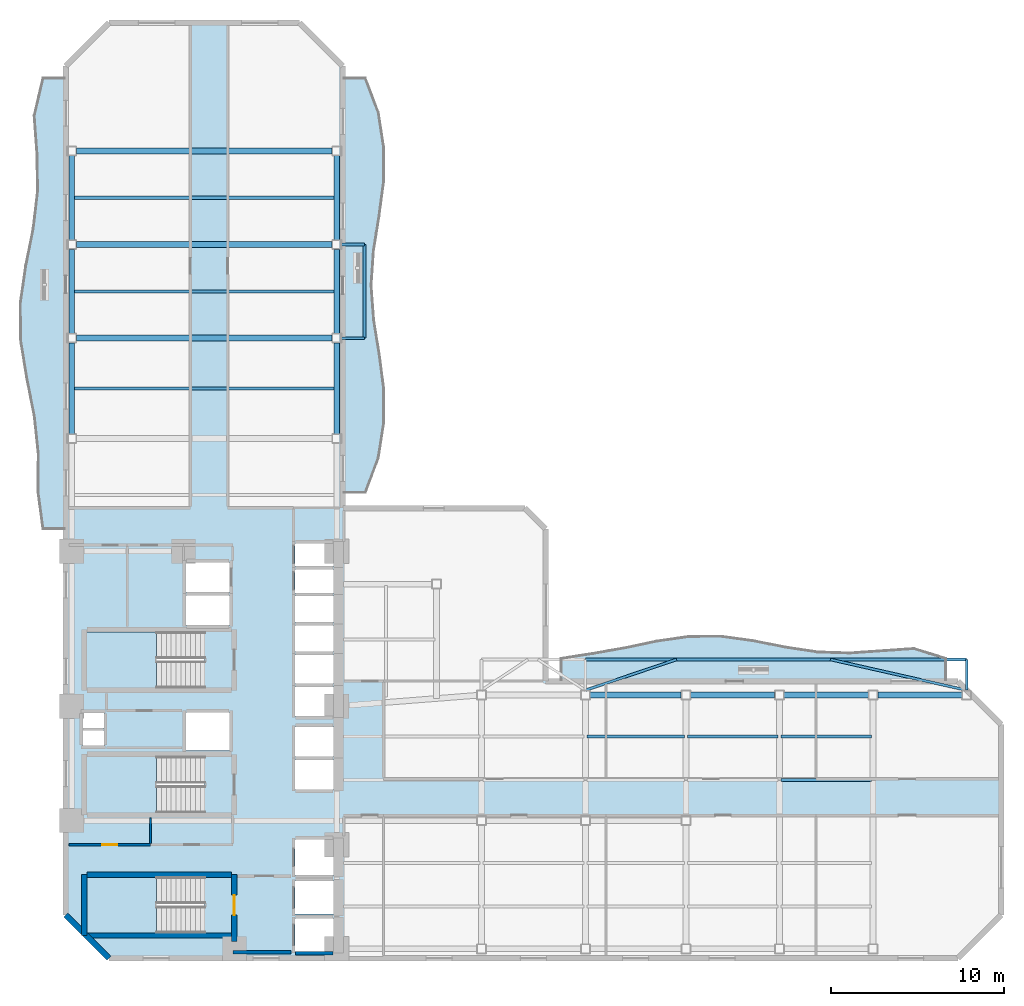
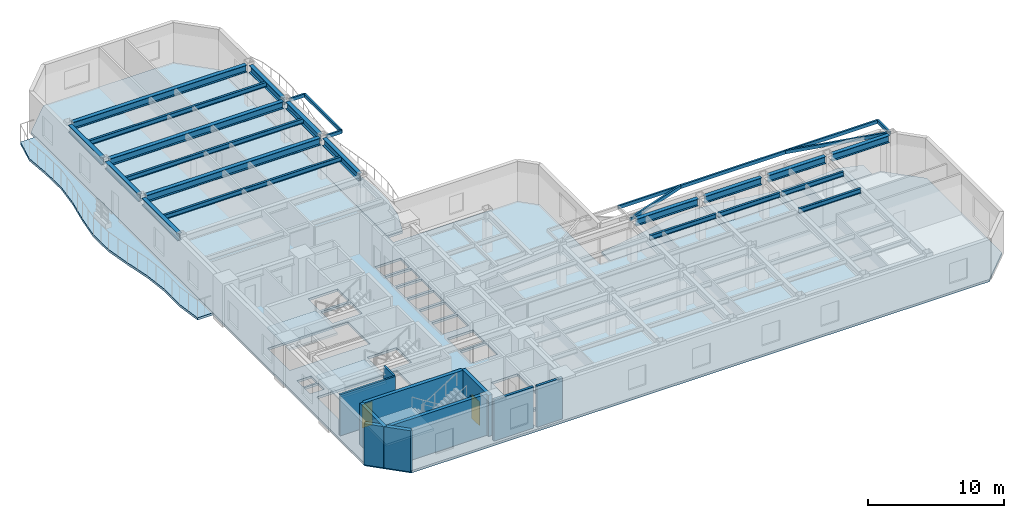
# One storey, part 2 of 10: 27 beams, 9 walls, 7 slabs, 2 doors, 2 openings, 3 elements without a shape of their own.
"""IFC4 building model written with IfcOpenShell, lengths in metres."""

import ifcopenshell
import ifcopenshell.guid

model = None  # the IFC model being written
_history = None  # IfcOwnerHistory: only IFC2X3 demands one
_inside = {}  # id of a spatial element -> (the spatial element, [elements in it])
_under = {}  # id of a project, library or spatial element -> (it, [spatial elements below it])
_declared = {}  # id of a project -> (the project, [libraries it declares])
_typed = {}  # id of a type object -> (the type object, [elements of that type])
_made_of = {}  # id of a material, layer set ... -> (it, [elements and type objects made of it])


def new_model(schema):
    """Start an empty IFC model of exactly this schema.

    Asked for "IFC4X3", IfcOpenShell would pick the latest addendum, in which some entities
    have other attributes; the version numbers below select the first issue.
    IFC2X3 requires an IfcOwnerHistory on every rooted entity: one is made here for all.
    """
    global model, _history
    if schema == "IFC4X3":
        model = ifcopenshell.file(schema_version=(4, 3, 0, 0))
    else:
        model = ifcopenshell.file(schema=schema)
    _inside.clear()
    _under.clear()
    _declared.clear()
    _typed.clear()
    _made_of.clear()
    _history = None
    if model.schema == "IFC2X3":
        org = make("IfcOrganization", Name="unknown")
        user = make(
            "IfcPersonAndOrganization",
            ThePerson=make("IfcPerson", FamilyName="unknown"),
            TheOrganization=org,
        )
        app = make(
            "IfcApplication",
            ApplicationDeveloper=org,
            Version="unknown",
            ApplicationFullName="unknown",
            ApplicationIdentifier="unknown",
        )
        _history = make(
            "IfcOwnerHistory",
            OwningUser=user,
            OwningApplication=app,
            ChangeAction="ADDED",
            CreationDate=0,
        )
    return model


def make(cls, **values):
    """One entity of the class cls with the attributes given. An attribute that is None is left unset."""
    return model.create_entity(
        cls, **{name: value for name, value in values.items() if value is not None}
    )


def rooted(cls, **values):
    """An entity with a GlobalId (a new one), such as an element, a storey or a relation."""
    return make(cls, GlobalId=ifcopenshell.guid.new(), OwnerHistory=_history, **values)


def si_unit(unit_type, name, prefix=None):
    """IfcSIUnit, for example si_unit("LENGTHUNIT", "METRE", prefix="MILLI")."""
    return make("IfcSIUnit", UnitType=unit_type, Prefix=prefix, Name=name)


def assignment(units):
    """IfcUnitAssignment: the units of a project."""
    return None if units is None else make("IfcUnitAssignment", Units=units)


def point(xyz):
    """IfcCartesianPoint."""
    return None if xyz is None else make("IfcCartesianPoint", Coordinates=xyz)


def direction(xyz):
    """IfcDirection."""
    return None if xyz is None else make("IfcDirection", DirectionRatios=xyz)


def frame(location, z_axis=None, x_axis=None):
    """IfcAxis2Placement3D, a coordinate frame: its origin and axes. An axis left out is left unset."""
    return make(
        "IfcAxis2Placement3D",
        Location=point(location),
        Axis=direction(z_axis),
        RefDirection=direction(x_axis),
    )


def frame_2d(location, x_axis=None):
    """IfcAxis2Placement2D, a coordinate frame in the plane: its origin and x axis."""
    return make(
        "IfcAxis2Placement2D", Location=point(location), RefDirection=direction(x_axis)
    )


def origin():
    """The frame at (0, 0, 0) with its axes left unset."""
    return frame((0.0, 0.0, 0.0))


def origin_2d():
    """The frame at (0, 0) in the plane with its x axis left unset."""
    return frame_2d((0.0, 0.0))


def place(relative_to, where):
    """IfcLocalPlacement: puts the frame where relative to a parent placement (None: the world)."""
    return make(
        "IfcLocalPlacement", PlacementRelTo=relative_to, RelativePlacement=where
    )


def context(
    kind, dimensions, precision=None, world=None, true_north=None, identifier=None
):
    """IfcGeometricRepresentationContext, for example the 3D "Model" context."""
    return make(
        "IfcGeometricRepresentationContext",
        ContextIdentifier=identifier,
        ContextType=kind,
        CoordinateSpaceDimension=dimensions,
        Precision=precision,
        WorldCoordinateSystem=world,
        TrueNorth=true_north,
    )


def subcontext(parent, identifier, kind, view, scale=None):
    """IfcGeometricRepresentationSubContext, for example "Body" below "Model"."""
    return make(
        "IfcGeometricRepresentationSubContext",
        ContextIdentifier=identifier,
        ContextType=kind,
        ParentContext=parent,
        TargetScale=scale,
        TargetView=view,
    )


def project(units=None, contexts=None):
    """IfcProject with its units and contexts."""
    return rooted(
        "IfcProject",
        Name="project",
        RepresentationContexts=contexts,
        UnitsInContext=assignment(units),
    )


def spatial(cls, under=None, at=None, **own):
    """A site, building, storey or space (cls), placed at a placement, below another one or the project."""
    s = rooted(cls, ObjectPlacement=at, **own)
    if under is not None:
        _under.setdefault(under.id(), (under, []))[1].append(s)
    return s


def polyline(points):
    """IfcPolyline through the points."""
    return make("IfcPolyline", Points=[point(p) for p in points])


def profile(cls, at=None, kind="AREA", **sizes):
    """A parametric profile (cls). Its sizes go by their IFC names, for example OverallWidth=200.0."""
    return make(cls, ProfileType=kind, Position=at, **sizes)


def rectangle(**sizes):
    """IfcRectangleProfileDef."""
    return profile("IfcRectangleProfileDef", **sizes)


def hollow_rectangle(**sizes):
    """IfcRectangleHollowProfileDef."""
    return profile("IfcRectangleHollowProfileDef", **sizes)


def i_section(**sizes):
    """IfcIShapeProfileDef."""
    return profile("IfcIShapeProfileDef", **sizes)


def outline(outer, holes=None, kind="AREA"):
    """IfcArbitraryClosedProfileDef: a profile drawn as a closed curve; with holes, ...WithVoids."""
    if holes is None:
        return make("IfcArbitraryClosedProfileDef", ProfileType=kind, OuterCurve=outer)
    return make(
        "IfcArbitraryProfileDefWithVoids",
        ProfileType=kind,
        OuterCurve=outer,
        InnerCurves=holes,
    )


def extrude(swept, where, along, depth):
    """IfcExtrudedAreaSolid: the profile swept, set in the frame where, extruded along a direction by depth."""
    return make(
        "IfcExtrudedAreaSolid",
        SweptArea=swept,
        Position=where,
        ExtrudedDirection=direction(along),
        Depth=depth,
    )


def shape(context_of_items, identifier, shape_type, items):
    """IfcShapeRepresentation: the items that make up one representation, for example the "Body"."""
    return make(
        "IfcShapeRepresentation",
        ContextOfItems=context_of_items,
        RepresentationIdentifier=identifier,
        RepresentationType=shape_type,
        Items=items,
    )


def material(Name=None, Category=None):
    """IfcMaterial."""
    return make("IfcMaterial", Name=Name, Category=Category)


def layer(
    of_material, thickness, ventilated=None, Name=None, Category=None, Priority=None
):
    """IfcMaterialLayer: one layer of a wall or slab, of a material (None: an air gap)."""
    return make(
        "IfcMaterialLayer",
        Material=of_material,
        LayerThickness=thickness,
        IsVentilated=ventilated,
        Name=Name,
        Category=Category,
        Priority=Priority,
    )


def layer_set(layers, Name=None):
    """IfcMaterialLayerSet."""
    return make("IfcMaterialLayerSet", MaterialLayers=layers, LayerSetName=Name)


def material_profile(
    of_material, cross_section, Name=None, Category=None, Priority=None
):
    """IfcMaterialProfile: a cross section and its material."""
    return make(
        "IfcMaterialProfile",
        Name=Name,
        Material=of_material,
        Profile=cross_section,
        Priority=Priority,
        Category=Category,
    )


def profile_set(profiles, Name=None, composite=None):
    """IfcMaterialProfileSet."""
    return make(
        "IfcMaterialProfileSet",
        Name=Name,
        MaterialProfiles=profiles,
        CompositeProfile=composite,
    )


def made_of(thing, what):
    """Note that an element or type object is made of a material, layer set ...; save() writes the relation."""
    if what is not None:
        _made_of.setdefault(what.id(), (what, []))[1].append(thing)
    return thing


def type_object(cls, material=None, **own):
    """A type object (cls), such as IfcWallType, which elements share."""
    return made_of(rooted(cls, **own), material)


def element(
    cls,
    number,
    at=None,
    inside=None,
    cuts=None,
    type_object=None,
    material=None,
    context=None,
    identifier="Body",
    shape_type=None,
    held_by="IfcProductDefinitionShape",
    body=None,
    shapes=None,
    **own,
):
    """One element of the class cls, such as IfcWall. Its Tag is "e" and its number.

    at: its placement. inside: the storey or other place that contains it. cuts: it is an
    opening in that element (IfcRelVoidsElement). A single representation is given by context,
    identifier, shape_type and body (its items); several are given by shapes. held_by: the class
    of the entity that holds the representations. save() writes the other relations.
    """
    e = rooted(cls, Tag="e%d" % number, ObjectPlacement=at, **own)
    if body is not None:
        shapes = [shape(context, identifier, shape_type, body)]
    if shapes is not None:
        e.Representation = make(held_by, Representations=shapes)
    if inside is not None:
        _inside.setdefault(inside.id(), (inside, []))[1].append(e)
    if cuts is not None:
        rooted(
            "IfcRelVoidsElement", RelatingBuildingElement=cuts, RelatedOpeningElement=e
        )
    if type_object is not None:
        _typed.setdefault(type_object.id(), (type_object, []))[1].append(e)
    return made_of(e, material)


def fill(opening, filler):
    """IfcRelFillsElement: the door or window that sits in an opening."""
    return rooted(
        "IfcRelFillsElement",
        RelatingOpeningElement=opening,
        RelatedBuildingElement=filler,
    )


def aggregate(whole, parts):
    """IfcRelAggregates: a whole, such as a stair, and the parts it consists of."""
    return rooted("IfcRelAggregates", RelatingObject=whole, RelatedObjects=parts)


def save(model, path):
    """Write the relations noted so far, then the file.

    IfcRelAggregates (storeys below a building ...), IfcRelContainedInSpatialStructure (elements
    in a storey), IfcRelDefinesByType, IfcRelAssociatesMaterial and IfcRelDeclares: one each for
    every whole, place, type object, material and project.
    """
    for whole, parts in _under.values():
        aggregate(whole, parts)
    for where, things in _inside.values():
        rooted(
            "IfcRelContainedInSpatialStructure",
            RelatedElements=things,
            RelatingStructure=where,
        )
    for kind, things in _typed.values():
        rooted("IfcRelDefinesByType", RelatedObjects=things, RelatingType=kind)
    for what, things in _made_of.values():
        rooted("IfcRelAssociatesMaterial", RelatedObjects=things, RelatingMaterial=what)
    for by, libraries in _declared.values():
        rooted("IfcRelDeclares", RelatingContext=by, RelatedDefinitions=libraries)
    model.write(path)


model = new_model("IFC4")

# Units and contexts
model_context = context("Model", 3, precision=1e-05, world=origin(), true_north=direction((0.0, 1.0)))
body_context = subcontext(model_context, "Body", "Model", "MODEL_VIEW")
ifc_project = project(units=[si_unit("LENGTHUNIT", "METRE"), si_unit("AREAUNIT", "SQUARE_METRE"), si_unit("VOLUMEUNIT", "CUBIC_METRE"), si_unit("PLANEANGLEUNIT", "RADIAN"), si_unit("MASSUNIT", "GRAM", prefix="KILO")], contexts=[model_context])

# Site, building, storey
site_placement = place(None, origin())
site = spatial("IfcSite", under=ifc_project, at=site_placement, CompositionType="ELEMENT")
building_placement = place(site_placement, origin())
building = spatial("IfcBuilding", under=site, at=building_placement, Name="Mawjaban Terraces University", CompositionType="ELEMENT")
storey_placement = place(building_placement, frame((0.0, 0.0, 73.89990234375)))
storey = spatial("IfcBuildingStorey", under=building, at=storey_placement, Name="L17", CompositionType="ELEMENT", Elevation=73.89990234375)

# Beams
ifc_material_1 = material(Name="Steel EN 10210-1 S355J2H", Category="steel")
ifc_material_profile_1 = material_profile(ifc_material_1, hollow_rectangle(XDim=0.14990234375, YDim=0.300048828125, WallThickness=0.012451171875, at=origin_2d()), Name="RHS300X150X12.5")
ifc_profile_set_1 = profile_set([ifc_material_profile_1], Name="Steel EN 10210-1 S355J2H")
beam_type_1 = type_object("IfcBeamType", Name="BalconyCantileverSpandrel_RHS", PredefinedType="SPANDREL", material=ifc_profile_set_1)
beam_1_placement = place(storey_placement, frame((74.0, 15.47509765625, 3.5400390625), z_axis=(0.0, 1.0, 0.0), x_axis=(-1.0, 0.0, 0.0)))
element("IfcBeam", 1, at=beam_1_placement, inside=storey, type_object=beam_type_1, Name="L17 Exterior Outrigger BAL-L18-N.2", PredefinedType="SPANDREL", context=body_context, shape_type="SweptSolid", body=[
    extrude(hollow_rectangle(XDim=0.14990234375, YDim=0.300048828125, WallThickness=0.012451171875, at=origin_2d()), origin(), (0.0, 0.0, 1.0), 1.77490234375),
])
beam_2_placement = place(storey_placement, frame((52.0, 17.25, 3.5400390625), z_axis=(1.0, 0.0, 0.0), x_axis=(0.0, 1.0, 0.0)))
element("IfcBeam", 2, at=beam_2_placement, inside=storey, type_object=beam_type_1, Name="L17 Exterior Edge Spandrel BAL-L18-N", PredefinedType="SPANDREL", context=body_context, shape_type="SweptSolid", body=[
    extrude(hollow_rectangle(XDim=0.14990234375, YDim=0.300048828125, WallThickness=0.012451171875, at=origin_2d()), origin(), (0.0, 0.0, 1.0), 22.0),
])
beam_3_placement = place(storey_placement, frame((52.0, 15.47509765625, 3.5400390625), z_axis=(0.947511431793, 0.319721889493, 0.0), x_axis=(-0.319721889493, 0.947511431793, 0.0)))
element("IfcBeam", 3, at=beam_3_placement, inside=storey, type_object=beam_type_1, Name="L17 Exterior Diagonal Strut BAL-L18-N.1", PredefinedType="SPANDREL", context=body_context, shape_type="SweptSolid", body=[
    extrude(hollow_rectangle(XDim=0.14990234375, YDim=0.300048828125, WallThickness=0.012451171875, at=origin_2d()), origin(), (0.0, 0.0, 1.0), 5.551513671875),
])
beam_4_placement = place(storey_placement, frame((74.0, 15.47509765625, 3.5400390625), z_axis=(-0.97543995213, 0.220265521105, 0.0), x_axis=(-0.220265521105, -0.97543995213, 0.0)))
element("IfcBeam", 4, at=beam_4_placement, inside=storey, type_object=beam_type_1, Name="L17 Exterior Diagonal Strut BAL-L18-N.2", PredefinedType="SPANDREL", context=body_context, shape_type="SweptSolid", body=[
    extrude(hollow_rectangle(XDim=0.14990234375, YDim=0.300048828125, WallThickness=0.012451171875, at=origin_2d()), origin(), (0.0, 0.0, 1.0), 8.05810546875),
])
for number, where, z_axis, x_axis, name in (
    (5, (37.925048828125, 35.800048828125, 3.5400390625), (1.0, 0.0, 0.0), (0.0, 1.0, 0.0), "L17 Exterior Outrigger BAL-L18-E.1"),
    (6, (37.925048828125, 41.199951171875, 3.5400390625), (1.0, 0.0, 0.0), (0.0, 1.0, 0.0), "L17 Exterior Outrigger BAL-L18-E.2"),
):
    element("IfcBeam", number, at=place(storey_placement, frame(where, z_axis=z_axis, x_axis=x_axis)), inside=storey, type_object=beam_type_1, Name=name, PredefinedType="SPANDREL", context=body_context, shape_type="SweptSolid", body=[
        extrude(hollow_rectangle(XDim=0.14990234375, YDim=0.300048828125, WallThickness=0.012451171875, at=origin_2d()), origin(), (0.0, 0.0, 1.0), 1.324951171875),
    ])
beam_5_placement = place(storey_placement, frame((39.25, 35.800048828125, 3.5400390625), z_axis=(0.0, 1.0, 0.0), x_axis=(-1.0, 0.0, 0.0)))
element("IfcBeam", 7, at=beam_5_placement, inside=storey, type_object=beam_type_1, Name="L17 Exterior Edge Spandrel BAL-L18-E", PredefinedType="SPANDREL", context=body_context, shape_type="SweptSolid", body=[
    extrude(hollow_rectangle(XDim=0.14990234375, YDim=0.300048828125, WallThickness=0.012451171875, at=origin_2d()), origin(), (0.0, 0.0, 1.0), 5.39990234375),
])
ifc_material_2 = material(Name="Steel ASTM A572 Grade 50", Category="steel")
ifc_material_profile_2 = material_profile(ifc_material_2, i_section(OverallWidth=0.3291015625, OverallDepth=0.635009765625, WebThickness=0.017822265625, FlangeThickness=0.031005859375, at=origin_2d()), Name="W610X241")
ifc_profile_set_2 = profile_set([ifc_material_profile_2], Name="Steel ASTM A572 Grade 50")
beam_type_2 = type_object("IfcBeamType", Name="Beam_B_W610X241", PredefinedType="BEAM", material=ifc_profile_set_2)
beam_6_placement = place(storey_placement, frame((52.27490234375, 15.199951171875, 3.373046875), z_axis=(1.0, 0.0, 0.0), x_axis=(0.0, 1.0, 0.0)))
element("IfcBeam", 8, at=beam_6_placement, inside=storey, type_object=beam_type_2, Name="L17 Beam BM-L17-EW-10", PredefinedType="BEAM", context=body_context, shape_type="SweptSolid", body=[
    extrude(i_section(OverallWidth=0.3291015625, OverallDepth=0.635009765625, WebThickness=0.017822265625, FlangeThickness=0.031005859375, at=origin_2d()), origin(), (0.0, 0.0, 1.0), 5.25),
])
beam_7_placement = place(storey_placement, frame((58.074951171875, 15.199951171875, 3.373046875), z_axis=(1.0, 0.0, 0.0), x_axis=(0.0, 1.0, 0.0)))
element("IfcBeam", 9, at=beam_7_placement, inside=storey, type_object=beam_type_2, Name="L17 Beam BM-L17-EW-11", PredefinedType="BEAM", context=body_context, shape_type="SweptSolid", body=[
    extrude(i_section(OverallWidth=0.3291015625, OverallDepth=0.635009765625, WebThickness=0.017822265625, FlangeThickness=0.031005859375, at=origin_2d()), origin(), (0.0, 0.0, 1.0), 4.85009765625),
])
beam_8_placement = place(storey_placement, frame((63.47509765625, 15.199951171875, 3.373046875), z_axis=(1.0, 0.0, 0.0), x_axis=(0.0, 1.0, 0.0)))
element("IfcBeam", 10, at=beam_8_placement, inside=storey, type_object=beam_type_2, Name="L17 Beam BM-L17-EW-12", PredefinedType="BEAM", context=body_context, shape_type="SweptSolid", body=[
    extrude(i_section(OverallWidth=0.3291015625, OverallDepth=0.635009765625, WebThickness=0.017822265625, FlangeThickness=0.031005859375, at=origin_2d()), origin(), (0.0, 0.0, 1.0), 4.849853515625),
])
beam_9_placement = place(storey_placement, frame((68.875, 15.199951171875, 3.373046875), z_axis=(1.0, 0.0, 0.0), x_axis=(0.0, 1.0, 0.0)))
element("IfcBeam", 11, at=beam_9_placement, inside=storey, type_object=beam_type_2, Name="L17 Beam BM-L17-EW-13", PredefinedType="BEAM", context=body_context, shape_type="SweptSolid", body=[
    extrude(i_section(OverallWidth=0.3291015625, OverallDepth=0.635009765625, WebThickness=0.017822265625, FlangeThickness=0.031005859375, at=origin_2d()), origin(), (0.0, 0.0, 1.0), 4.85009765625),
])
for number, where, z_axis, x_axis, name in (
    (12, (22.625, 35.800048828125, 3.373046875), (1.0, 0.0, 0.0), (0.0, 1.0, 0.0), "L17 Beam BM-L17-EW-16"),
    (13, (22.625, 41.199951171875, 3.373046875), (1.0, 0.0, 0.0), (0.0, 1.0, 0.0), "L17 Beam BM-L17-EW-17"),
    (14, (22.625, 46.60009765625, 3.373046875), (1.0, 0.0, 0.0), (0.0, 1.0, 0.0), "L17 Beam BM-L17-EW-18"),
):
    element("IfcBeam", number, at=place(storey_placement, frame(where, z_axis=z_axis, x_axis=x_axis)), inside=storey, type_object=beam_type_2, Name=name, PredefinedType="BEAM", context=body_context, shape_type="SweptSolid", body=[
        extrude(i_section(OverallWidth=0.3291015625, OverallDepth=0.635009765625, WebThickness=0.017822265625, FlangeThickness=0.031005859375, at=origin_2d()), origin(), (0.0, 0.0, 1.0), 14.75),
    ])
beam_10_placement = place(storey_placement, frame((22.35009765625, 30.27490234375, 3.373046875), z_axis=(0.0, 1.0, 0.0), x_axis=(-1.0, 0.0, 0.0)))
element("IfcBeam", 15, at=beam_10_placement, inside=storey, type_object=beam_type_2, Name="L17 Beam BM-L17-NS-04", PredefinedType="BEAM", context=body_context, shape_type="SweptSolid", body=[
    extrude(i_section(OverallWidth=0.3291015625, OverallDepth=0.635009765625, WebThickness=0.017822265625, FlangeThickness=0.031005859375, at=origin_2d()), origin(), (0.0, 0.0, 1.0), 5.25),
])
beam_11_placement = place(storey_placement, frame((22.35009765625, 36.074951171875, 3.373046875), z_axis=(0.0, 1.0, 0.0), x_axis=(-1.0, 0.0, 0.0)))
element("IfcBeam", 16, at=beam_11_placement, inside=storey, type_object=beam_type_2, Name="L17 Beam BM-L17-NS-05", PredefinedType="BEAM", context=body_context, shape_type="SweptSolid", body=[
    extrude(i_section(OverallWidth=0.3291015625, OverallDepth=0.635009765625, WebThickness=0.017822265625, FlangeThickness=0.031005859375, at=origin_2d()), origin(), (0.0, 0.0, 1.0), 4.85009765625),
])
beam_12_placement = place(storey_placement, frame((22.35009765625, 41.47509765625, 3.373046875), z_axis=(0.0, 1.0, 0.0), x_axis=(-1.0, 0.0, 0.0)))
element("IfcBeam", 17, at=beam_12_placement, inside=storey, type_object=beam_type_2, Name="L17 Beam BM-L17-NS-06", PredefinedType="BEAM", context=body_context, shape_type="SweptSolid", body=[
    extrude(i_section(OverallWidth=0.3291015625, OverallDepth=0.635009765625, WebThickness=0.017822265625, FlangeThickness=0.031005859375, at=origin_2d()), origin(), (0.0, 0.0, 1.0), 4.849853515625),
])
beam_13_placement = place(storey_placement, frame((37.64990234375, 30.27490234375, 3.373046875), z_axis=(0.0, 1.0, 0.0), x_axis=(-1.0, 0.0, 0.0)))
element("IfcBeam", 18, at=beam_13_placement, inside=storey, type_object=beam_type_2, Name="L17 Beam BM-L17-NS-11", PredefinedType="BEAM", context=body_context, shape_type="SweptSolid", body=[
    extrude(i_section(OverallWidth=0.3291015625, OverallDepth=0.635009765625, WebThickness=0.017822265625, FlangeThickness=0.031005859375, at=origin_2d()), origin(), (0.0, 0.0, 1.0), 5.25),
])
beam_14_placement = place(storey_placement, frame((37.64990234375, 36.074951171875, 3.373046875), z_axis=(0.0, 1.0, 0.0), x_axis=(-1.0, 0.0, 0.0)))
element("IfcBeam", 19, at=beam_14_placement, inside=storey, type_object=beam_type_2, Name="L17 Beam BM-L17-NS-12", PredefinedType="BEAM", context=body_context, shape_type="SweptSolid", body=[
    extrude(i_section(OverallWidth=0.3291015625, OverallDepth=0.635009765625, WebThickness=0.017822265625, FlangeThickness=0.031005859375, at=origin_2d()), origin(), (0.0, 0.0, 1.0), 4.85009765625),
])
beam_15_placement = place(storey_placement, frame((37.64990234375, 41.47509765625, 3.373046875), z_axis=(0.0, 1.0, 0.0), x_axis=(-1.0, 0.0, 0.0)))
element("IfcBeam", 20, at=beam_15_placement, inside=storey, type_object=beam_type_2, Name="L17 Beam BM-L17-NS-13", PredefinedType="BEAM", context=body_context, shape_type="SweptSolid", body=[
    extrude(i_section(OverallWidth=0.3291015625, OverallDepth=0.635009765625, WebThickness=0.017822265625, FlangeThickness=0.031005859375, at=origin_2d()), origin(), (0.0, 0.0, 1.0), 4.849853515625),
])
ifc_material_profile_3 = material_profile(ifc_material_2, i_section(OverallWidth=0.179931640625, OverallDepth=0.4130859375, WebThickness=0.009765625, FlangeThickness=0.01611328125, at=origin_2d()), Name="W410X74")
ifc_profile_set_3 = profile_set([ifc_material_profile_3], Name="Steel ASTM A572 Grade 50")
beam_type_3 = type_object("IfcBeamType", Name="Beam_J_W410X74", PredefinedType="JOIST", material=ifc_profile_set_3)
beam_16_placement = place(storey_placement, frame((63.280029296875, 10.300048828125, 3.483154296875), z_axis=(1.0, 0.0, 0.0), x_axis=(0.0, 1.0, 0.0)))
element("IfcBeam", 21, at=beam_16_placement, inside=storey, type_object=beam_type_3, Name="L17 Composite Joist JST-L17-15", PredefinedType="JOIST", context=body_context, shape_type="SweptSolid", body=[
    extrude(i_section(OverallWidth=0.179931640625, OverallDepth=0.4130859375, WebThickness=0.009765625, FlangeThickness=0.01611328125, at=origin_2d()), origin(), (0.0, 0.0, 1.0), 5.239990234375),
])
beam_17_placement = place(storey_placement, frame((52.080078125, 12.800048828125, 3.483154296875), z_axis=(1.0, 0.0, 0.0), x_axis=(0.0, 1.0, 0.0)))
element("IfcBeam", 22, at=beam_17_placement, inside=storey, type_object=beam_type_3, Name="L17 Composite Joist JST-L17-18", PredefinedType="JOIST", context=body_context, shape_type="SweptSolid", body=[
    extrude(i_section(OverallWidth=0.179931640625, OverallDepth=0.4130859375, WebThickness=0.009765625, FlangeThickness=0.01611328125, at=origin_2d()), origin(), (0.0, 0.0, 1.0), 5.639892578125),
])
beam_18_placement = place(storey_placement, frame((57.8798828125, 12.800048828125, 3.483154296875), z_axis=(1.0, 0.0, 0.0), x_axis=(0.0, 1.0, 0.0)))
element("IfcBeam", 23, at=beam_18_placement, inside=storey, type_object=beam_type_3, Name="L17 Composite Joist JST-L17-19", PredefinedType="JOIST", context=body_context, shape_type="SweptSolid", body=[
    extrude(i_section(OverallWidth=0.179931640625, OverallDepth=0.4130859375, WebThickness=0.009765625, FlangeThickness=0.01611328125, at=origin_2d()), origin(), (0.0, 0.0, 1.0), 5.240234375),
])
beam_19_placement = place(storey_placement, frame((63.280029296875, 12.800048828125, 3.483154296875), z_axis=(1.0, 0.0, 0.0), x_axis=(0.0, 1.0, 0.0)))
element("IfcBeam", 24, at=beam_19_placement, inside=storey, type_object=beam_type_3, Name="L17 Composite Joist JST-L17-20", PredefinedType="JOIST", context=body_context, shape_type="SweptSolid", body=[
    extrude(i_section(OverallWidth=0.179931640625, OverallDepth=0.4130859375, WebThickness=0.009765625, FlangeThickness=0.01611328125, at=origin_2d()), origin(), (0.0, 0.0, 1.0), 5.239990234375),
])
for number, where, z_axis, x_axis, name in (
    (25, (22.429931640625, 32.89990234375, 3.483154296875), (1.0, 0.0, 0.0), (0.0, 1.0, 0.0), "L17 Composite Joist JST-L17-23"),
    (26, (22.429931640625, 38.5, 3.483154296875), (1.0, 0.0, 0.0), (0.0, 1.0, 0.0), "L17 Composite Joist JST-L17-24"),
    (27, (22.429931640625, 43.89990234375, 3.483154296875), (1.0, 0.0, 0.0), (0.0, 1.0, 0.0), "L17 Composite Joist JST-L17-25"),
):
    element("IfcBeam", number, at=place(storey_placement, frame(where, z_axis=z_axis, x_axis=x_axis)), inside=storey, type_object=beam_type_3, Name=name, PredefinedType="JOIST", context=body_context, shape_type="SweptSolid", body=[
        extrude(i_section(OverallWidth=0.179931640625, OverallDepth=0.4130859375, WebThickness=0.009765625, FlangeThickness=0.01611328125, at=origin_2d()), origin(), (0.0, 0.0, 1.0), 15.14013671875),
    ])

# Slabs
ifc_material_3 = material(Name="Concrete C40/50", Category="concrete")
ifc_layer_1 = layer(ifc_material_3, 0.2099609375)
ifc_layer_set_1 = layer_set([ifc_layer_1], Name="Concrete C40/50")
slab_type_1 = type_object("IfcSlabType", Name="BalconySlab_210_Ext", PredefinedType="FLOOR", material=ifc_layer_set_1)
slab_1_placement = place(storey_placement, frame((0.0, 0.0, -0.2099609375)))
element("IfcSlab", 28, at=slab_1_placement, inside=storey, type_object=slab_type_1, Name="L17 Planted Balcony Slab west", PredefinedType="FLOOR", context=body_context, shape_type="SweptSolid", body=[
    extrude(outline(polyline([(22.010009765625, 24.800048828125), (22.010009765625, 50.800048828125), (20.699951171875, 50.800048828125), (20.195068359375, 48.633056640625), (20.35302734375, 46.467041015625), (20.39208984375, 44.300048828125), (20.137939453125, 42.133056640625), (19.7060546875, 39.967041015625), (19.388916015625, 37.800048828125), (19.41796875, 35.633056640625), (19.77294921875, 33.467041015625), (20.201904296875, 31.300048828125), (20.431884765625, 29.133056640625), (20.410888671875, 26.967041015625), (20.699951171875, 24.800048828125), (22.010009765625, 24.800048828125)])), origin(), (0.0, 0.0, 1.0), 0.2099609375),
])
slab_2_placement = place(storey_placement, frame((0.0, 0.0, -0.2099609375)))
element("IfcSlab", 29, at=slab_2_placement, inside=storey, type_object=slab_type_1, Name="L17 Planted Balcony Slab inner_north", PredefinedType="FLOOR", context=body_context, shape_type="SweptSolid", body=[
    extrude(outline(polyline([(50.60009765625, 15.989990234375), (72.800048828125, 15.989990234375), (72.800048828125, 17.300048828125), (70.949951171875, 17.868896484375), (69.10009765625, 17.740966796875), (67.25, 17.613037109375), (65.39990234375, 17.673095703125), (63.550048828125, 17.950927734375), (61.699951171875, 18.319091796875), (59.85009765625, 18.574951171875), (58.0, 18.570068359375), (56.14990234375, 18.303955078125), (54.300048828125, 17.9150390625), (52.449951171875, 17.590087890625), (50.60009765625, 17.300048828125), (50.60009765625, 15.989990234375)])), origin(), (0.0, 0.0, 1.0), 0.2099609375),
])
slab_3_placement = place(storey_placement, frame((0.0, 0.0, -0.2099609375)))
element("IfcSlab", 30, at=slab_3_placement, inside=storey, type_object=slab_type_1, Name="L17 Planted Balcony Slab inner_east", PredefinedType="FLOOR", context=body_context, shape_type="SweptSolid", body=[
    extrude(outline(polyline([(39.300048828125, 26.889892578125), (40.048095703125, 28.883056640625), (40.35888671875, 30.875), (40.366943359375, 32.866943359375), (40.10791015625, 34.860107421875), (39.784912109375, 36.85205078125), (39.637939453125, 38.844970703125), (39.77294921875, 40.8369140625), (40.091064453125, 42.830078125), (40.35595703125, 44.822021484375), (40.35888671875, 46.81494140625), (40.055908203125, 48.806884765625), (39.300048828125, 50.800048828125), (37.989990234375, 50.800048828125), (37.989990234375, 26.889892578125), (39.300048828125, 26.889892578125)])), origin(), (0.0, 0.0, 1.0), 0.2099609375),
])
ifc_layer_2 = layer(ifc_material_3, 0.2099609375)
ifc_layer_set_2 = layer_set([ifc_layer_2], Name="Concrete C40/50")
slab_type_2 = type_object("IfcSlabType", Name="CompositeSlab_210", PredefinedType="FLOOR", material=ifc_layer_set_2)
slab_4_placement = place(storey_placement, frame((0.0, 0.0, -0.2099609375)))
element("IfcSlab", 31, at=slab_4_placement, inside=storey, type_object=slab_type_2, Name="L17 Primary Structural Slab", PredefinedType="FLOOR", context=body_context, shape_type="SweptSolid", body=[
    extrude(outline(polyline([(24.5, 0.0), (73.5, 0.0), (76.0, 2.5), (76.0, 13.5), (73.5, 16.0), (49.699951171875, 16.0), (49.699951171875, 24.7900390625), (48.5, 25.989990234375), (38.0, 25.989990234375), (38.0, 51.5), (35.5, 54.0), (24.5, 54.0), (22.0, 51.5), (22.0, 2.5), (24.5, 0.0)]), holes=[polyline([(30.014892578125, 4.699951171875), (23.199951171875, 4.699951171875), (23.199951171875, 1.449951171875), (30.014892578125, 1.449951171875), (30.014892578125, 4.699951171875)]), polyline([(30.014892578125, 18.85009765625), (23.199951171875, 18.85009765625), (23.199951171875, 15.60009765625), (30.014892578125, 15.60009765625), (30.014892578125, 18.85009765625)]), polyline([(30.014892578125, 11.64990234375), (23.199951171875, 11.64990234375), (23.199951171875, 8.39990234375), (30.014892578125, 8.39990234375), (30.014892578125, 11.64990234375)]), polyline([(35.25, 0.39990234375), (37.449951171875, 0.39990234375), (37.449951171875, 2.300048828125), (35.25, 2.300048828125), (35.25, 0.39990234375)]), polyline([(35.25, 2.550048828125), (37.449951171875, 2.550048828125), (37.449951171875, 4.449951171875), (35.25, 4.449951171875), (35.25, 2.550048828125)]), polyline([(35.25, 4.800048828125), (37.449951171875, 4.800048828125), (37.449951171875, 6.85009765625), (35.25, 6.85009765625), (35.25, 4.800048828125)]), polyline([(35.25, 9.75), (37.449951171875, 9.75), (37.449951171875, 11.449951171875), (35.25, 11.449951171875), (35.25, 9.75)]), polyline([(35.25, 11.64990234375), (37.449951171875, 11.64990234375), (37.449951171875, 13.35009765625), (35.25, 13.35009765625), (35.25, 11.64990234375)]), polyline([(28.949951171875, 12.0), (31.449951171875, 12.0), (31.449951171875, 14.199951171875), (28.949951171875, 14.199951171875), (28.949951171875, 12.0)]), polyline([(35.25, 14.0), (37.449951171875, 14.0), (37.449951171875, 15.64990234375), (35.25, 15.64990234375), (35.25, 14.0)]), polyline([(35.25, 15.85009765625), (37.449951171875, 15.85009765625), (37.449951171875, 17.5), (35.25, 17.5), (35.25, 15.85009765625)]), polyline([(35.25, 17.699951171875), (37.449951171875, 17.699951171875), (37.449951171875, 19.199951171875), (35.25, 19.199951171875), (35.25, 17.699951171875)]), polyline([(35.25, 19.39990234375), (37.449951171875, 19.39990234375), (37.449951171875, 20.89990234375), (35.25, 20.89990234375), (35.25, 19.39990234375)]), polyline([(28.949951171875, 19.25), (31.449951171875, 19.25), (31.449951171875, 20.949951171875), (28.949951171875, 20.949951171875), (28.949951171875, 19.25)]), polyline([(35.25, 21.10009765625), (37.449951171875, 21.10009765625), (37.449951171875, 22.449951171875), (35.25, 22.449951171875), (35.25, 21.10009765625)]), polyline([(35.25, 22.64990234375), (37.449951171875, 22.64990234375), (37.449951171875, 23.949951171875), (35.25, 23.949951171875), (35.25, 22.64990234375)]), polyline([(28.949951171875, 21.14990234375), (31.449951171875, 21.14990234375), (31.449951171875, 22.85009765625), (28.949951171875, 22.85009765625), (28.949951171875, 21.14990234375)]), polyline([(23.0, 12.25), (24.199951171875, 12.25), (24.199951171875, 13.14990234375), (23.0, 13.14990234375), (23.0, 12.25)]), polyline([(23.0, 13.300048828125), (24.199951171875, 13.300048828125), (24.199951171875, 14.179931640625), (23.0, 14.179931640625), (23.0, 13.300048828125)])]), origin(), (0.0, 0.0, 1.0), 0.2099609375),
])

# Stair, slab
stair_type = type_object("IfcStairType", Name="Stair_Core1550_H39", PredefinedType="HALF_TURN_STAIR", material=ifc_material_3)
stair_1_placement = place(storey_placement, origin())
stair_1 = element("IfcStair", 32, at=stair_1_placement, inside=storey, type_object=stair_type, Name="L17 Core Exit Stair 1", PredefinedType="HALF_TURN_STAIR")
ifc_layer_3 = layer(ifc_material_3, 0.199951171875)
ifc_layer_set_3 = layer_set([ifc_layer_3], Name="Concrete C40/50")
slab_type_3 = type_object("IfcSlabType", Name="StairLandingSlab_200", PredefinedType="LANDING", material=ifc_layer_set_3)
slab_5_placement = place(storey_placement, frame((0.0, 0.0, 1.75)))
slab_5 = element("IfcSlab", 33, at=slab_5_placement, type_object=slab_type_3, Name="ST-1 landing 1", PredefinedType="LANDING", context=body_context, shape_type="SweptSolid", body=[
    extrude(outline(polyline([(27.25, 4.699951171875), (23.199951171875, 4.699951171875), (23.199951171875, 1.449951171875), (27.25, 1.449951171875), (27.25, 4.699951171875)])), origin(), (0.0, 0.0, 1.0), 0.2001953125),
])
aggregate(stair_1, [slab_5])

stair_2_placement = place(storey_placement, origin())
stair_2 = element("IfcStair", 34, at=stair_2_placement, inside=storey, type_object=stair_type, Name="L17 Core Exit Stair 2", PredefinedType="HALF_TURN_STAIR")
slab_6_placement = place(storey_placement, frame((0.0, 0.0, 1.75)))
slab_6 = element("IfcSlab", 35, at=slab_6_placement, type_object=slab_type_3, Name="ST-2 landing 1", PredefinedType="LANDING", context=body_context, shape_type="SweptSolid", body=[
    extrude(outline(polyline([(27.25, 18.85009765625), (23.199951171875, 18.85009765625), (23.199951171875, 15.60009765625), (27.25, 15.60009765625), (27.25, 18.85009765625)])), origin(), (0.0, 0.0, 1.0), 0.2001953125),
])
aggregate(stair_2, [slab_6])

stair_3_placement = place(storey_placement, origin())
stair_3 = element("IfcStair", 36, at=stair_3_placement, inside=storey, type_object=stair_type, Name="L17 Core Exit Stair 3", PredefinedType="HALF_TURN_STAIR")
slab_7_placement = place(storey_placement, frame((0.0, 0.0, 1.75)))
slab_7 = element("IfcSlab", 37, at=slab_7_placement, type_object=slab_type_3, Name="ST-3 landing 1", PredefinedType="LANDING", context=body_context, shape_type="SweptSolid", body=[
    extrude(outline(polyline([(27.25, 11.64990234375), (23.199951171875, 11.64990234375), (23.199951171875, 8.39990234375), (27.25, 8.39990234375), (27.25, 11.64990234375)])), origin(), (0.0, 0.0, 1.0), 0.2001953125),
])
aggregate(stair_3, [slab_7])

# Wall, opening, door
ifc_material_4 = material(Name="Fire-rated gypsum board on steel stud", Category="steel")
ifc_layer_4 = layer(ifc_material_4, 0.159912109375)
ifc_layer_set_4 = layer_set([ifc_layer_4], Name="Fire-rated gypsum board on steel stud")
wall_type_1 = type_object("IfcWallType", Name="CorridorPartition_160", PredefinedType="PARTITIONING", material=ifc_layer_set_4)
wall_1_placement = place(storey_placement, frame((26.89990234375, 6.550048828125, 0.0), z_axis=(0.0, 0.0, 1.0), x_axis=(-1.0, 0.0, 0.0)))
wall_1 = element("IfcWall", 38, at=wall_1_placement, inside=storey, type_object=wall_type_1, Name="L17 Core Washroom Lobby Partition 4", PredefinedType="PARTITIONING", context=body_context, shape_type="SweptSolid", body=[
    extrude(rectangle(XDim=4.699951171875, YDim=0.159912109375, at=frame_2d((2.35009765625, 0.0))), origin(), (0.0, 0.0, 1.0), 3.690185546875),
])
opening_1_placement = place(wall_1_placement, frame((1.909912109375, 0.0, 0.0)))
opening_1 = element("IfcOpeningElement", 39, at=opening_1_placement, cuts=wall_1, Name="Opening ID-088", PredefinedType="OPENING", context=body_context, shape_type="SweptSolid", body=[
    extrude(rectangle(XDim=0.8798828125, YDim=2.10009765625, at=frame_2d((0.43994140625, 1.050048828125))), frame((0.0, 0.08984375, 0.0), z_axis=(0.0, -1.0, 0.0), x_axis=(1.0, 0.0, 0.0)), (0.0, 0.0, 1.0), 0.179931640625),
])
ifc_material_5 = material(Name="Powder-coated steel frame and solid acoustic timber leaf", Category="steel")
door_type_1 = type_object("IfcDoorType", Name="ToiletDoor_880x2100", OperationType="NOTDEFINED", PredefinedType="DOOR", material=ifc_material_5)
door_1_placement = place(opening_1_placement, origin())
door_1 = element("IfcDoor", 40, at=door_1_placement, inside=storey, type_object=door_type_1, Name="L17 Male Toilet Door", OperationType="SINGLE_SWING_RIGHT", OverallHeight=2.10009765625, OverallWidth=0.8798828125, PredefinedType="DOOR", context=body_context, shape_type="SweptSolid", body=[
    extrude(rectangle(XDim=0.8798828125, YDim=2.10009765625, at=frame_2d((0.43994140625, 1.050048828125))), frame((0.0, 0.02490234375, 0.0), z_axis=(0.0, -1.0, 0.0), x_axis=(1.0, 0.0, 0.0)), (0.0, 0.0, 1.0), 0.050048828125),
])
fill(opening_1, door_1)

# Walls
ifc_material_6 = material(Name="Insulated terracotta rainscreen on concrete backup C40/50", Category="masonry")
ifc_layer_5 = layer(ifc_material_6, 0.320068359375)
ifc_layer_set_5 = layer_set([ifc_layer_5], Name="Insulated terracotta rainscreen on concrete backup C40/50")
wall_type_2 = type_object("IfcWallType", Name="ExtTerracottaWall_320", PredefinedType="SOLIDWALL", material=ifc_layer_set_5)
wall_2_placement = place(storey_placement, frame((22.0, 2.5, 0.0), z_axis=(0.0, 0.0, 1.0), x_axis=(0.707106781187, -0.707106781187, 0.0)))
element("IfcWall", 41, at=wall_2_placement, inside=storey, type_object=wall_type_2, Name="L17 Exterior Terracotta Wall 14", PredefinedType="SOLIDWALL", context=body_context, shape_type="SweptSolid", body=[
    extrude(rectangle(XDim=3.53564453125, YDim=0.320068359375, at=frame_2d((1.767822265625, 0.0))), origin(), (0.0, 0.0, 1.0), 3.690185546875),
])
ifc_layer_6 = layer(ifc_material_3, 0.199951171875)
ifc_layer_set_6 = layer_set([ifc_layer_6], Name="Concrete C40/50")
wall_type_3 = type_object("IfcWallType", Name="FireLobbyWall_200", PredefinedType="SOLIDWALL", material=ifc_layer_set_6)
wall_3_placement = place(storey_placement, frame((35.280029296875, 0.300048828125, 0.0), z_axis=(0.0, 0.0, 1.0), x_axis=(1.0, 0.0, 0.0)))
element("IfcWall", 42, at=wall_3_placement, inside=storey, type_object=wall_type_3, Name="L17 Lift FL-1 Hoistway Wall South", PredefinedType="SOLIDWALL", context=body_context, shape_type="SweptSolid", body=[
    extrude(rectangle(XDim=2.139892578125, YDim=0.199951171875, at=frame_2d((1.06982421875, 0.0))), origin(), (0.0, 0.0, 1.0), 3.690185546875),
])
wall_4_placement = place(storey_placement, frame((31.64990234375, 0.35009765625, 0.0), z_axis=(0.0, 0.0, 1.0), x_axis=(1.0, 0.0, 0.0)))
element("IfcWall", 43, at=wall_4_placement, inside=storey, type_object=wall_type_3, Name="L17 Firefighting Lift Lobby Partition 8", PredefinedType="SOLIDWALL", context=body_context, shape_type="SweptSolid", body=[
    extrude(rectangle(XDim=3.3701171875, YDim=0.199951171875, at=frame_2d((1.68505859375, 0.0))), origin(), (0.0, 0.0, 1.0), 3.690185546875),
])
ifc_material_7 = material(Name="Concrete C60/75", Category="concrete")
ifc_layer_7 = layer(ifc_material_7, 0.300048828125)
ifc_layer_set_7 = layer_set([ifc_layer_7], Name="Concrete C60/75")
wall_type_4 = type_object("IfcWallType", Name="StairShaftWall_300", PredefinedType="SHEAR", material=ifc_layer_set_7)
wall_5_placement = place(storey_placement, frame((31.580078125, 4.830078125, 0.0), z_axis=(0.0, 0.0, 1.0), x_axis=(-1.0, 0.0, 0.0)))
element("IfcWall", 44, at=wall_5_placement, inside=storey, type_object=wall_type_4, Name="L17 ST-1 Stair Shaft Wall 1", PredefinedType="SHEAR", context=body_context, shape_type="SweptSolid", body=[
    extrude(rectangle(XDim=8.360107421875, YDim=0.300048828125, at=frame_2d((4.18017578125, 0.0))), origin(), (0.0, 0.0, 1.0), 3.690185546875),
])
wall_6_placement = place(storey_placement, frame((23.070068359375, 4.830078125, 0.0), z_axis=(0.0, 0.0, 1.0), x_axis=(0.0, -1.0, 0.0)))
element("IfcWall", 45, at=wall_6_placement, inside=storey, type_object=wall_type_4, Name="L17 ST-1 Stair Shaft Wall 2", PredefinedType="SHEAR", context=body_context, shape_type="SweptSolid", body=[
    extrude(rectangle(XDim=3.510009765625, YDim=0.300048828125, at=frame_2d((1.7548828125, 0.0))), origin(), (0.0, 0.0, 1.0), 3.690185546875),
])
wall_7_placement = place(storey_placement, frame((23.219970703125, 1.320068359375, 0.0), z_axis=(0.0, 0.0, 1.0), x_axis=(1.0, 0.0, 0.0)))
element("IfcWall", 46, at=wall_7_placement, inside=storey, type_object=wall_type_4, Name="L17 ST-1 Stair Shaft Wall 3", PredefinedType="SHEAR", context=body_context, shape_type="SweptSolid", body=[
    extrude(rectangle(XDim=8.360107421875, YDim=0.300048828125, at=frame_2d((4.18017578125, 0.0))), origin(), (0.0, 0.0, 1.0), 3.690185546875),
])

# Wall, opening, door
wall_8_placement = place(storey_placement, frame((31.72998046875, 0.9599609375, 0.0), z_axis=(0.0, 0.0, 1.0), x_axis=(0.0, 1.0, 0.0)))
wall_8 = element("IfcWall", 47, at=wall_8_placement, inside=storey, type_object=wall_type_4, Name="L17 ST-1 Stair Shaft Wall 4", PredefinedType="SHEAR", context=body_context, shape_type="SweptSolid", body=[
    extrude(rectangle(XDim=3.8701171875, YDim=0.300048828125, at=frame_2d((1.93505859375, 0.0))), origin(), (0.0, 0.0, 1.0), 3.690185546875),
])
opening_2_placement = place(wall_8_placement, frame((1.5400390625, 0.0, 0.0)))
opening_2 = element("IfcOpeningElement", 48, at=opening_2_placement, cuts=wall_8, Name="Opening FD-115", PredefinedType="OPENING", context=body_context, shape_type="SweptSolid", body=[
    extrude(rectangle(XDim=1.14990234375, YDim=2.14990234375, at=frame_2d((0.574951171875, 1.074951171875))), frame((0.0, 0.159912109375, 0.0), z_axis=(0.0, -1.0, 0.0), x_axis=(1.0, 0.0, 0.0)), (0.0, 0.0, 1.0), 0.320068359375),
])
ifc_material_8 = material(Name="Powder-coated steel frame and fire-rated steel-faced leaf", Category="steel")
door_type_2 = type_object("IfcDoorType", Name="FireStairDoor_1150x2150", OperationType="NOTDEFINED", PredefinedType="DOOR", material=ifc_material_8)
door_2_placement = place(opening_2_placement, origin())
door_2 = element("IfcDoor", 49, at=door_2_placement, inside=storey, type_object=door_type_2, Name="L17 ST-1 Pressurised Stair Fire Door", OperationType="SINGLE_SWING_RIGHT", OverallHeight=2.14990234375, OverallWidth=1.14990234375, PredefinedType="DOOR", context=body_context, shape_type="SweptSolid", body=[
    extrude(rectangle(XDim=1.14990234375, YDim=2.14990234375, at=frame_2d((0.574951171875, 1.074951171875))), frame((0.0, 0.02490234375, 0.0), z_axis=(0.0, -1.0, 0.0), x_axis=(1.0, 0.0, 0.0)), (0.0, 0.0, 1.0), 0.050048828125),
])
fill(opening_2, door_2)

# Wall
ifc_material_9 = material(Name="Cement-board wet-room partition", Category="masonry")
ifc_layer_8 = layer(ifc_material_9, 0.135009765625)
ifc_layer_set_8 = layer_set([ifc_layer_8], Name="Cement-board wet-room partition")
wall_type_5 = type_object("IfcWallType", Name="WetRoomPartition_135", PredefinedType="PARTITIONING", material=ifc_layer_set_8)
wall_9_placement = place(storey_placement, frame((26.89990234375, 6.625, 0.0), z_axis=(0.0, 0.0, 1.0), x_axis=(0.0, 1.0, 0.0)))
element("IfcWall", 50, at=wall_9_placement, inside=storey, type_object=wall_type_5, Name="L17 Male Toilet Partition 24", PredefinedType="PARTITIONING", context=body_context, shape_type="SweptSolid", body=[
    extrude(rectangle(XDim=1.465087890625, YDim=0.135009765625, at=frame_2d((0.732421875, 0.0))), origin(), (0.0, 0.0, 1.0), 3.690185546875),
])

save(model, "model.ifc")
